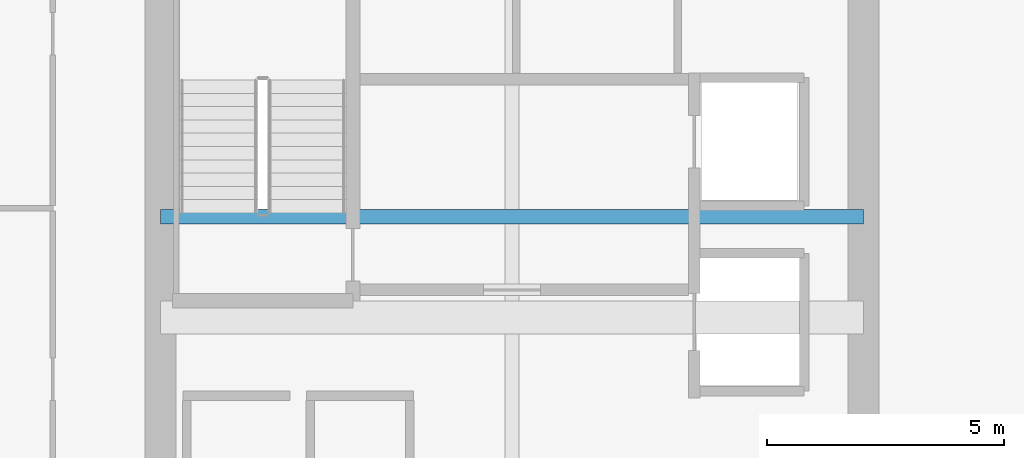
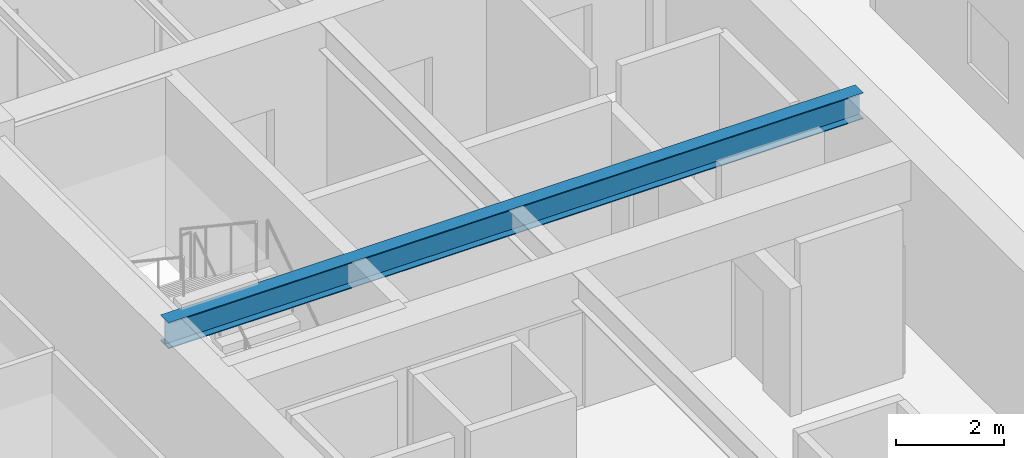
# One storey, part 9 of 33: 1 beam.
"""IFC4 building model written with IfcOpenShell, lengths in metres."""

from ifc_helpers import new_model, si_unit, direction, frame, origin, origin_2d, place, context, subcontext, project, spatial, i_section, extrude, source, transform, mapped, material, material_profile, profile_set, type_object, type_shapes, element, save


model = new_model("IFC4")

# Units and contexts
model_context = context("Model", 3, precision=1e-05, world=origin(), true_north=direction((0.0, 1.0)))
body_context = subcontext(model_context, "Body", "Model", "MODEL_VIEW")
ifc_project = project(units=[si_unit("LENGTHUNIT", "METRE"), si_unit("AREAUNIT", "SQUARE_METRE"), si_unit("VOLUMEUNIT", "CUBIC_METRE"), si_unit("PLANEANGLEUNIT", "RADIAN"), si_unit("MASSUNIT", "GRAM", prefix="KILO")], contexts=[model_context])

# Site, building, storey
site_placement = place(None, origin())
site = spatial("IfcSite", under=ifc_project, at=site_placement, CompositionType="ELEMENT")
building_placement = place(site_placement, origin())
building = spatial("IfcBuilding", under=site, at=building_placement, Name="Haelvirn Gate Laboratories", CompositionType="ELEMENT")
storey_placement = place(building_placement, frame((0.0, 0.0, 133.800048828125)))
storey = spatial("IfcBuildingStorey", under=building, at=storey_placement, Name="L32", CompositionType="ELEMENT", Elevation=133.800048828125)

# Beam
ifc_material = material(Name="Steel SM355", Category="steel")
ifc_material_profile = material_profile(ifc_material, i_section(OverallWidth=0.300048828125, OverallDepth=0.587890625, WebThickness=0.011962890625, FlangeThickness=0.02001953125, at=origin_2d()), Name="H-588x300x12x20")
ifc_profile_set = profile_set([ifc_material_profile], Name="Steel SM355")
beam_type = type_object("IfcBeamType", Name="BM-G-588", PredefinedType="BEAM", material=ifc_profile_set)
shared_shape = source(origin(), body_context, "Body", "SweptSolid", [
    extrude(i_section(OverallWidth=0.300048828125, OverallDepth=0.587890625, WebThickness=0.011962890625, FlangeThickness=0.02001953125, at=origin_2d()), origin(), (0.0, 0.0, 1.0), 14.800048828125),
])
type_shapes(beam_type, [shared_shape])
beam_placement = place(storey_placement, frame((7.39990234375, 26.6201171875, 3.495849609375), z_axis=(1.0, 0.0, 0.0), x_axis=(0.0, 1.0, 0.0)))
element("IfcBeam", 1, at=beam_placement, inside=storey, type_object=beam_type, Name="L32 Stair ST1 Landing Header", PredefinedType="BEAM", context=body_context, shape_type="MappedRepresentation", body=[
    mapped(shared_shape, transform((0.0, 0.0, 0.0), scale=1.0)),
])

save(model, "model.ifc")
